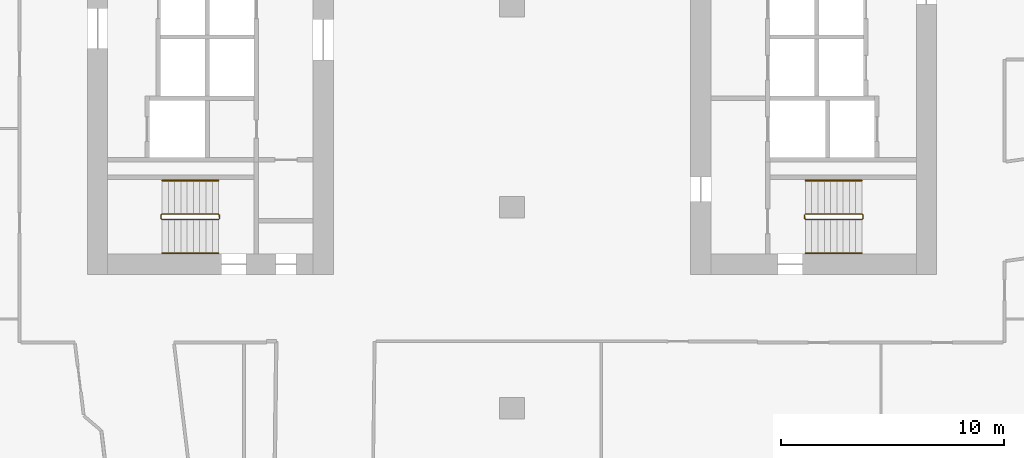
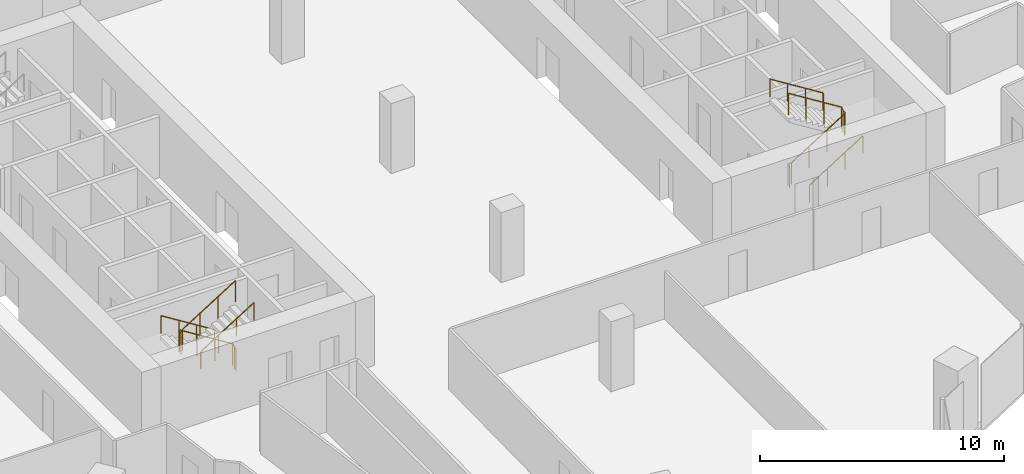
# One storey, part 32 of 34: 6 railings.
"""IFC4 building model written with IfcOpenShell, lengths in metres."""

from ifc_helpers import new_model, si_unit, direction, frame, origin, origin_2d, place, context, subcontext, project, spatial, circle, extrude, material, type_object, element, save


model = new_model("IFC4")

# Units and contexts
model_context = context("Model", 3, precision=1e-05, world=origin(), true_north=direction((0.0, 1.0)))
body_context = subcontext(model_context, "Body", "Model", "MODEL_VIEW")
ifc_project = project(units=[si_unit("LENGTHUNIT", "METRE"), si_unit("AREAUNIT", "SQUARE_METRE"), si_unit("VOLUMEUNIT", "CUBIC_METRE"), si_unit("PLANEANGLEUNIT", "RADIAN"), si_unit("MASSUNIT", "GRAM", prefix="KILO")], contexts=[model_context])

# Site, building, storey
site_placement = place(None, origin())
site = spatial("IfcSite", under=ifc_project, at=site_placement, CompositionType="ELEMENT")
building_placement = place(site_placement, origin())
building = spatial("IfcBuilding", under=site, at=building_placement, Name="Orlundy Tower", CompositionType="ELEMENT")
storey_placement = place(building_placement, frame((0.0, 0.0, 137.699951171875)))
storey = spatial("IfcBuildingStorey", under=building, at=storey_placement, Name="L35", CompositionType="ELEMENT", Elevation=137.699951171875)

# Railings
ifc_material_1 = material(Name="Steel balustrade", Category="steel")
railing_type_1 = type_object("IfcRailingType", Name="Stair Guard 1100", PredefinedType="GUARDRAIL", material=ifc_material_1)
railing_1_placement = place(storey_placement, frame((-13.090087890625, -9.35009765625, 0.0)))
element("IfcRailing", 1, at=railing_1_placement, inside=storey, type_object=railing_type_1, Name="L35 ST-W2 stair guard 1", PredefinedType="GUARDRAIL", context=body_context, shape_type="SweptSolid", body=[
    extrude(circle(Radius=0.02392578125, at=origin_2d()), frame((0.0, 0.0, 1.076171875), z_axis=(0.0, -1.0, 0.0), x_axis=(1.0, 0.0, 0.0)), (0.0, 0.0, 1.0), 0.14990234375),
    extrude(circle(Radius=0.02392578125, at=origin_2d()), frame((0.0, -0.14990234375, 1.076171875), z_axis=(-0.18420542264, 0.739530593833, 0.647427882513), x_axis=(-0.970351222016, -0.241699205484, 0.0)), (0.0, 0.0, 1.0), 0.270263671875),
    extrude(circle(Radius=0.02392578125, at=origin_2d()), frame((-0.0498046875, 0.050048828125, 1.2509765625), z_axis=(-0.848007534815, 0.0, 0.529984170421), x_axis=(0.0, -1.0, 0.0)), (0.0, 0.0, 1.0), 2.9716796875),
    extrude(circle(Radius=0.02392578125, at=origin_2d()), frame((-2.56982421875, 0.050048828125, 2.826171875), z_axis=(-0.707106781187, -0.707106781187, 0.0), x_axis=(0.707106781187, -0.707106781187, 0.0)), (0.0, 0.0, 1.0), 0.07080078125),
    extrude(circle(Radius=0.02392578125, at=origin_2d()), frame((-2.619873046875, 0.0, 2.826171875), z_axis=(0.0, -1.0, 0.0), x_axis=(1.0, 0.0, 0.0)), (0.0, 0.0, 1.0), 0.14990234375),
    extrude(circle(Radius=0.02392578125, at=origin_2d()), frame((-2.619873046875, -0.14990234375, 2.826171875), z_axis=(0.265065253269, -0.265065253269, 0.927081885822), x_axis=(0.707106781187, 0.707106781187, 0.0)), (0.0, 0.0, 1.0), 0.188720703125),
    extrude(circle(Radius=0.02392578125, at=origin_2d()), frame((-2.56982421875, -0.199951171875, 3.0009765625), z_axis=(0.848007534815, 0.0, 0.529984170421), x_axis=(0.0, 1.0, 0.0)), (0.0, 0.0, 1.0), 2.9716796875),
    extrude(circle(Radius=0.02099609375, at=origin_2d()), origin(), (0.0, 0.0, 1.0), 1.052001953125),
    extrude(circle(Radius=0.02099609375, at=origin_2d()), frame((0.0, -0.14990234375, 0.0)), (0.0, 0.0, 1.0), 1.052001953125),
    extrude(circle(Radius=0.02099609375, at=origin_2d()), frame((-0.0498046875, 0.050048828125, 0.175048828125)), (0.0, 0.0, 1.0), 1.052001953125),
    extrude(circle(Radius=0.02099609375, at=origin_2d()), frame((-0.889892578125, 0.050048828125, 0.699951171875)), (0.0, 0.0, 1.0), 1.052001953125),
    extrude(circle(Radius=0.02099609375, at=origin_2d()), frame((-1.729736328125, 0.050048828125, 1.22509765625)), (0.0, 0.0, 1.0), 1.052001953125),
    extrude(circle(Radius=0.02099609375, at=origin_2d()), frame((-2.56982421875, 0.050048828125, 1.75)), (0.0, 0.0, 1.0), 1.052001953125),
    extrude(circle(Radius=0.02099609375, at=origin_2d()), frame((-2.619873046875, 0.0, 1.75)), (0.0, 0.0, 1.0), 1.052001953125),
    extrude(circle(Radius=0.02099609375, at=origin_2d()), frame((-2.619873046875, -0.14990234375, 1.75)), (0.0, 0.0, 1.0), 1.052001953125),
    extrude(circle(Radius=0.02099609375, at=origin_2d()), frame((-2.56982421875, -0.199951171875, 1.925048828125)), (0.0, 0.0, 1.0), 1.052001953125),
    extrude(circle(Radius=0.02099609375, at=origin_2d()), frame((-1.729736328125, -0.199951171875, 2.449951171875)), (0.0, 0.0, 1.0), 1.052001953125),
    extrude(circle(Radius=0.02099609375, at=origin_2d()), frame((-0.889892578125, -0.199951171875, 2.97509765625)), (0.0, 0.0, 1.0), 1.052001953125),
    extrude(circle(Radius=0.02099609375, at=origin_2d()), frame((-0.0498046875, -0.199951171875, 3.5)), (0.0, 0.0, 1.0), 1.052001953125),
])
railing_2_placement = place(storey_placement, frame((13.090087890625, -9.5, 0.0)))
element("IfcRailing", 2, at=railing_2_placement, inside=storey, type_object=railing_type_1, Name="L35 ST-E1 stair guard 1", PredefinedType="GUARDRAIL", context=body_context, shape_type="SweptSolid", body=[
    extrude(circle(Radius=0.02392578125, at=origin_2d()), frame((0.0, 0.0, 1.076171875), z_axis=(0.0, 1.0, 0.0), x_axis=(-1.0, 0.0, 0.0)), (0.0, 0.0, 1.0), 0.14990234375),
    extrude(circle(Radius=0.02392578125, at=origin_2d()), frame((0.0, 0.14990234375, 1.076171875), z_axis=(0.18420542264, -0.739530593833, 0.647427882513), x_axis=(0.970351222016, 0.241699205484, 0.0)), (0.0, 0.0, 1.0), 0.270263671875),
    extrude(circle(Radius=0.02392578125, at=origin_2d()), frame((0.0498046875, -0.050048828125, 1.2509765625), z_axis=(0.848007534815, 0.0, 0.529984170421), x_axis=(0.0, 1.0, 0.0)), (0.0, 0.0, 1.0), 2.9716796875),
    extrude(circle(Radius=0.02392578125, at=origin_2d()), frame((2.56982421875, -0.050048828125, 2.826171875), z_axis=(0.707106781187, 0.707106781187, 0.0), x_axis=(-0.707106781187, 0.707106781187, 0.0)), (0.0, 0.0, 1.0), 0.07080078125),
    extrude(circle(Radius=0.02392578125, at=origin_2d()), frame((2.619873046875, 0.0, 2.826171875), z_axis=(0.0, 1.0, 0.0), x_axis=(-1.0, 0.0, 0.0)), (0.0, 0.0, 1.0), 0.14990234375),
    extrude(circle(Radius=0.02392578125, at=origin_2d()), frame((2.619873046875, 0.14990234375, 2.826171875), z_axis=(-0.265065253269, 0.265065253269, 0.927081885822), x_axis=(-0.707106781187, -0.707106781187, 0.0)), (0.0, 0.0, 1.0), 0.188720703125),
    extrude(circle(Radius=0.02392578125, at=origin_2d()), frame((2.56982421875, 0.199951171875, 3.0009765625), z_axis=(-0.848007534815, 0.0, 0.529984170421), x_axis=(0.0, -1.0, 0.0)), (0.0, 0.0, 1.0), 2.9716796875),
    extrude(circle(Radius=0.02099609375, at=origin_2d()), origin(), (0.0, 0.0, 1.0), 1.052001953125),
    extrude(circle(Radius=0.02099609375, at=origin_2d()), frame((0.0, 0.14990234375, 0.0)), (0.0, 0.0, 1.0), 1.052001953125),
    extrude(circle(Radius=0.02099609375, at=origin_2d()), frame((0.0498046875, -0.050048828125, 0.175048828125)), (0.0, 0.0, 1.0), 1.052001953125),
    extrude(circle(Radius=0.02099609375, at=origin_2d()), frame((0.889892578125, -0.050048828125, 0.699951171875)), (0.0, 0.0, 1.0), 1.052001953125),
    extrude(circle(Radius=0.02099609375, at=origin_2d()), frame((1.729736328125, -0.050048828125, 1.22509765625)), (0.0, 0.0, 1.0), 1.052001953125),
    extrude(circle(Radius=0.02099609375, at=origin_2d()), frame((2.56982421875, -0.050048828125, 1.75)), (0.0, 0.0, 1.0), 1.052001953125),
    extrude(circle(Radius=0.02099609375, at=origin_2d()), frame((2.619873046875, 0.0, 1.75)), (0.0, 0.0, 1.0), 1.052001953125),
    extrude(circle(Radius=0.02099609375, at=origin_2d()), frame((2.619873046875, 0.14990234375, 1.75)), (0.0, 0.0, 1.0), 1.052001953125),
    extrude(circle(Radius=0.02099609375, at=origin_2d()), frame((2.56982421875, 0.199951171875, 1.925048828125)), (0.0, 0.0, 1.0), 1.052001953125),
    extrude(circle(Radius=0.02099609375, at=origin_2d()), frame((1.729736328125, 0.199951171875, 2.449951171875)), (0.0, 0.0, 1.0), 1.052001953125),
    extrude(circle(Radius=0.02099609375, at=origin_2d()), frame((0.889892578125, 0.199951171875, 2.97509765625)), (0.0, 0.0, 1.0), 1.052001953125),
    extrude(circle(Radius=0.02099609375, at=origin_2d()), frame((0.0498046875, 0.199951171875, 3.5)), (0.0, 0.0, 1.0), 1.052001953125),
])
ifc_material_2 = material(Name="Steel handrail", Category="steel")
railing_type_2 = type_object("IfcRailingType", Name="Stair Handrail 900", PredefinedType="HANDRAIL", material=ifc_material_2)
railing_3_placement = place(storey_placement, frame((-13.139892578125, -7.800048828125, 0.175048828125)))
element("IfcRailing", 3, at=railing_3_placement, inside=storey, type_object=railing_type_2, Name="L35 ST-W2 stair handrail 1", PredefinedType="HANDRAIL", context=body_context, shape_type="SweptSolid", body=[
    extrude(circle(Radius=0.02392578125, at=origin_2d()), frame((0.0, 0.0, 0.8759765625), z_axis=(-0.848007534815, 0.0, 0.529984170421), x_axis=(0.0, -1.0, 0.0)), (0.0, 0.0, 1.0), 2.9716796875),
    extrude(circle(Radius=0.02099609375, at=origin_2d()), origin(), (0.0, 0.0, 1.0), 0.851806640625),
    extrude(circle(Radius=0.02099609375, at=origin_2d()), frame((-0.840087890625, 0.0, 0.52490234375)), (0.0, 0.0, 1.0), 0.851806640625),
    extrude(circle(Radius=0.02099609375, at=origin_2d()), frame((-1.679931640625, 0.0, 1.050048828125)), (0.0, 0.0, 1.0), 0.851806640625),
    extrude(circle(Radius=0.02099609375, at=origin_2d()), frame((-2.52001953125, 0.0, 1.574951171875)), (0.0, 0.0, 1.0), 0.851806640625),
])
for number, where, name in (
    (4, (-15.659912109375, -11.050048828125, 1.925048828125), "L35 ST-W2 stair handrail 2"),
    (5, (13.139892578125, -11.050048828125, 0.175048828125), "L35 ST-E1 stair handrail 1"),
):
    element("IfcRailing", number, at=place(storey_placement, frame(where)), inside=storey, type_object=railing_type_2, Name=name, PredefinedType="HANDRAIL", context=body_context, shape_type="SweptSolid", body=[
        extrude(circle(Radius=0.02392578125, at=origin_2d()), frame((0.0, 0.0, 0.8759765625), z_axis=(0.848007534815, 0.0, 0.529984170421), x_axis=(0.0, 1.0, 0.0)), (0.0, 0.0, 1.0), 2.9716796875),
        extrude(circle(Radius=0.02099609375, at=origin_2d()), origin(), (0.0, 0.0, 1.0), 0.851806640625),
        extrude(circle(Radius=0.02099609375, at=origin_2d()), frame((0.840087890625, 0.0, 0.52490234375)), (0.0, 0.0, 1.0), 0.851806640625),
        extrude(circle(Radius=0.02099609375, at=origin_2d()), frame((1.679931640625, 0.0, 1.050048828125)), (0.0, 0.0, 1.0), 0.851806640625),
        extrude(circle(Radius=0.02099609375, at=origin_2d()), frame((2.52001953125, 0.0, 1.574951171875)), (0.0, 0.0, 1.0), 0.851806640625),
    ])
railing_4_placement = place(storey_placement, frame((15.659912109375, -7.800048828125, 1.925048828125)))
element("IfcRailing", 6, at=railing_4_placement, inside=storey, type_object=railing_type_2, Name="L35 ST-E1 stair handrail 2", PredefinedType="HANDRAIL", context=body_context, shape_type="SweptSolid", body=[
    extrude(circle(Radius=0.02392578125, at=origin_2d()), frame((0.0, 0.0, 0.8759765625), z_axis=(-0.848007534815, 0.0, 0.529984170421), x_axis=(0.0, -1.0, 0.0)), (0.0, 0.0, 1.0), 2.9716796875),
    extrude(circle(Radius=0.02099609375, at=origin_2d()), origin(), (0.0, 0.0, 1.0), 0.851806640625),
    extrude(circle(Radius=0.02099609375, at=origin_2d()), frame((-0.840087890625, 0.0, 0.52490234375)), (0.0, 0.0, 1.0), 0.851806640625),
    extrude(circle(Radius=0.02099609375, at=origin_2d()), frame((-1.679931640625, 0.0, 1.050048828125)), (0.0, 0.0, 1.0), 0.851806640625),
    extrude(circle(Radius=0.02099609375, at=origin_2d()), frame((-2.52001953125, 0.0, 1.574951171875)), (0.0, 0.0, 1.0), 0.851806640625),
])

save(model, "model.ifc")
